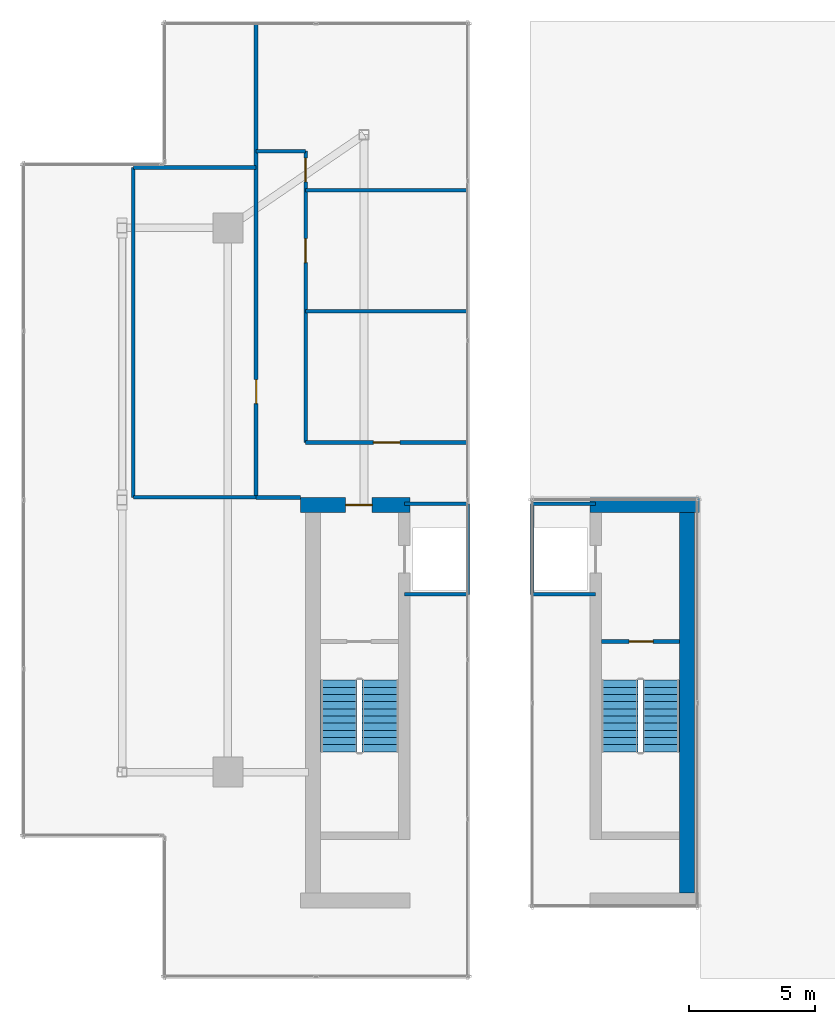
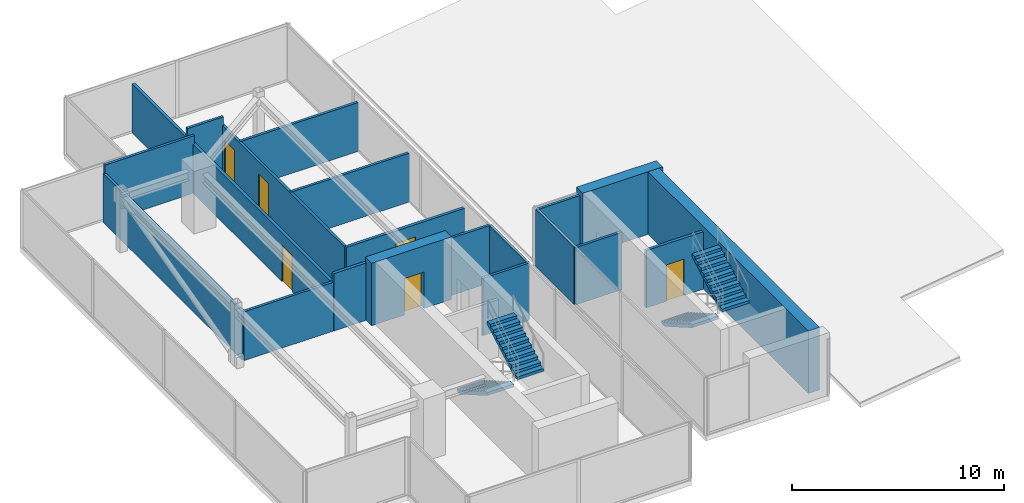
# One storey, part 15 of 16: 20 walls, 6 doors, 4 stair flights, 6 openings, 2 elements without a shape of their own.
"""IFC4 building model written with IfcOpenShell, lengths in metres."""

from ifc_helpers import new_model, si_unit, direction, frame, frame_2d, origin, place, context, subcontext, project, spatial, polyline, rectangle, outline, extrude, material, layer, layer_set, type_object, element, fill, aggregate, save


model = new_model("IFC4")

# Units and contexts
model_context = context("Model", 3, precision=1e-05, world=origin(), true_north=direction((0.0, 1.0)))
body_context = subcontext(model_context, "Body", "Model", "MODEL_VIEW")
ifc_project = project(units=[si_unit("LENGTHUNIT", "METRE"), si_unit("AREAUNIT", "SQUARE_METRE"), si_unit("VOLUMEUNIT", "CUBIC_METRE"), si_unit("PLANEANGLEUNIT", "RADIAN"), si_unit("MASSUNIT", "GRAM", prefix="KILO")], contexts=[model_context])

# Site, building, storey
site_placement = place(None, origin())
site = spatial("IfcSite", under=ifc_project, at=site_placement, CompositionType="ELEMENT")
building_placement = place(site_placement, origin())
building = spatial("IfcBuilding", under=site, at=building_placement, Name="Krantzveldt Concourse Tower", CompositionType="ELEMENT")
storey_placement = place(building_placement, frame((0.0, 0.0, 378.25)))
storey = spatial("IfcBuildingStorey", under=building, at=storey_placement, Name="L93", CompositionType="ELEMENT", Elevation=378.25)

# Walls
ifc_material_1 = material(Name="Fire-rated gypsum plasterboard on steel stud", Category="steel")
ifc_layer_1 = layer(ifc_material_1, 0.139892578125, Name="Fire-rated gypsum plasterboard on steel stud", Category="steel")
ifc_layer_set_1 = layer_set([ifc_layer_1], Name="Fire-rated gypsum plasterboard on steel stud (WL-PART-FR140)")
wall_type_1 = type_object("IfcWallType", Name="WL-PART-FR140", PredefinedType="PARTITIONING", material=ifc_layer_set_1)
wall_1_placement = place(storey_placement, frame((34.719970703125, 22.949951171875, 0.0), z_axis=(0.0, 0.0, 1.0), x_axis=(0.0, 1.0, 0.0)))
element("IfcWall", 1, at=wall_1_placement, inside=storey, type_object=wall_type_1, Name="WP-L93-FL1E", PredefinedType="PARTITIONING", context=body_context, shape_type="SweptSolid", body=[
    extrude(rectangle(XDim=3.60009765625, YDim=0.139892578125, at=frame_2d((1.800048828125, 0.0))), origin(), (0.0, 0.0, 1.0), 3.300048828125),
])
for number, where, z_axis, x_axis, name in (
    (2, (32.2099609375, 22.949951171875, 0.0), (0.0, 0.0, 1.0), (1.0, 0.0, 0.0), "WP-L93-FL1S"),
    (3, (32.2099609375, 26.550048828125, 0.0), (0.0, 0.0, 1.0), (1.0, 0.0, 0.0), "WP-L93-FL1N"),
):
    element("IfcWall", number, at=place(storey_placement, frame(where, z_axis=z_axis, x_axis=x_axis)), inside=storey, type_object=wall_type_1, Name=name, PredefinedType="PARTITIONING", context=body_context, shape_type="SweptSolid", body=[
        extrude(rectangle(XDim=2.510009765625, YDim=0.139892578125, at=frame_2d((1.2548828125, 0.0))), origin(), (0.0, 0.0, 1.0), 3.300048828125),
    ])
wall_2_placement = place(storey_placement, frame((37.280029296875, 22.949951171875, 0.0), z_axis=(0.0, 0.0, 1.0), x_axis=(0.0, 1.0, 0.0)))
element("IfcWall", 4, at=wall_2_placement, inside=storey, type_object=wall_type_1, Name="WP-L93-FL2W", PredefinedType="PARTITIONING", context=body_context, shape_type="SweptSolid", body=[
    extrude(rectangle(XDim=3.60009765625, YDim=0.139892578125, at=frame_2d((1.800048828125, 0.0))), origin(), (0.0, 0.0, 1.0), 3.300048828125),
])
for number, where, z_axis, x_axis, name in (
    (5, (37.280029296875, 22.949951171875, 0.0), (0.0, 0.0, 1.0), (1.0, 0.0, 0.0), "WP-L93-FL2S"),
    (6, (37.280029296875, 26.550048828125, 0.0), (0.0, 0.0, 1.0), (1.0, 0.0, 0.0), "WP-L93-FL2N"),
):
    element("IfcWall", number, at=place(storey_placement, frame(where, z_axis=z_axis, x_axis=x_axis)), inside=storey, type_object=wall_type_1, Name=name, PredefinedType="PARTITIONING", context=body_context, shape_type="SweptSolid", body=[
        extrude(rectangle(XDim=2.510009765625, YDim=0.139892578125, at=frame_2d((1.2548828125, 0.0))), origin(), (0.0, 0.0, 1.0), 3.300048828125),
    ])
wall_3_placement = place(storey_placement, frame((21.449951171875, 26.800048828125, 0.0), z_axis=(0.0, 0.0, 1.0), x_axis=(0.0, 1.0, 0.0)))
element("IfcWall", 7, at=wall_3_placement, inside=storey, type_object=wall_type_1, Name="WP-L93-CWW", PredefinedType="PARTITIONING", context=body_context, shape_type="SweptSolid", body=[
    extrude(rectangle(XDim=13.099853515625, YDim=0.139892578125, at=frame_2d((6.5498046875, 0.0))), origin(), (0.0, 0.0, 1.0), 2.81005859375),
])
wall_4_placement = place(storey_placement, frame((21.449951171875, 26.800048828125, 0.0), z_axis=(0.0, 0.0, 1.0), x_axis=(1.0, 0.0, 0.0)))
element("IfcWall", 8, at=wall_4_placement, inside=storey, type_object=wall_type_1, Name="WP-L93-CWS", PredefinedType="PARTITIONING", context=body_context, shape_type="SweptSolid", body=[
    extrude(rectangle(XDim=4.8701171875, YDim=0.139892578125, at=frame_2d((2.43505859375, 0.0))), origin(), (0.0, 0.0, 1.0), 2.81005859375),
])
wall_5_placement = place(storey_placement, frame((21.449951171875, 39.89990234375, 0.0), z_axis=(0.0, 0.0, 1.0), x_axis=(1.0, 0.0, 0.0)))
element("IfcWall", 9, at=wall_5_placement, inside=storey, type_object=wall_type_1, Name="WP-L93-CWTOP", PredefinedType="PARTITIONING", context=body_context, shape_type="SweptSolid", body=[
    extrude(rectangle(XDim=4.8701171875, YDim=0.139892578125, at=frame_2d((2.43505859375, 0.0))), origin(), (0.0, 0.0, 1.0), 3.300048828125),
])

# Wall, openings, doors
wall_6_placement = place(storey_placement, frame((28.280029296875, 28.97998046875, 0.0), z_axis=(0.0, 0.0, 1.0), x_axis=(0.0, 1.0, 0.0)))
wall_6 = element("IfcWall", 10, at=wall_6_placement, inside=storey, type_object=wall_type_1, Name="WP-L93-CNKR", PredefinedType="PARTITIONING", context=body_context, shape_type="SweptSolid", body=[
    extrude(rectangle(XDim=11.570068359375, YDim=0.139892578125, at=frame_2d((5.78515625, 0.0))), origin(), (0.0, 0.0, 1.0), 2.81005859375),
])
opening_1_placement = place(wall_6_placement, frame((7.14501953125, 0.0, 0.0)))
opening_1 = element("IfcOpeningElement", 11, at=opening_1_placement, cuts=wall_6, Name="Opening D-FD695", PredefinedType="OPENING", context=body_context, shape_type="SweptSolid", body=[
    extrude(rectangle(XDim=0.949951171875, YDim=2.10009765625, at=frame_2d((0.47509765625, 1.050048828125))), frame((0.0, 0.080078125, 0.0), z_axis=(0.0, -1.0, 0.0), x_axis=(1.0, 0.0, 0.0)), (0.0, 0.0, 1.0), 0.159912109375),
])
opening_2_placement = place(wall_6_placement, frame((10.344970703125, 0.0, 0.0)))
opening_2 = element("IfcOpeningElement", 12, at=opening_2_placement, cuts=wall_6, Name="Opening D-FD695", PredefinedType="OPENING", context=body_context, shape_type="SweptSolid", body=[
    extrude(rectangle(XDim=0.949951171875, YDim=2.10009765625, at=frame_2d((0.47509765625, 1.050048828125))), frame((0.0, 0.080078125, 0.0), z_axis=(0.0, -1.0, 0.0), x_axis=(1.0, 0.0, 0.0)), (0.0, 0.0, 1.0), 0.159912109375),
])
ifc_material_2 = material(Name="Hardwood timber", Category="wood")
door_type_1 = type_object("IfcDoorType", Name="DR-FD60-950", OperationType="SINGLE_SWING_LEFT", PredefinedType="DOOR", material=ifc_material_2)
door_1_placement = place(opening_1_placement, origin())
door_1 = element("IfcDoor", 13, at=door_1_placement, inside=storey, type_object=door_type_1, Name="DR-L93-PLT2", OperationType="SINGLE_SWING_RIGHT", OverallHeight=2.10009765625, OverallWidth=0.949951171875, PredefinedType="DOOR", context=body_context, shape_type="SweptSolid", body=[
    extrude(rectangle(XDim=0.949951171875, YDim=2.10009765625, at=frame_2d((0.47509765625, 1.050048828125))), frame((0.0, 0.02490234375, 0.0), z_axis=(0.0, -1.0, 0.0), x_axis=(1.0, 0.0, 0.0)), (0.0, 0.0, 1.0), 0.050048828125),
])
fill(opening_1, door_1)
door_2_placement = place(opening_2_placement, origin())
door_2 = element("IfcDoor", 14, at=door_2_placement, inside=storey, type_object=door_type_1, Name="DR-L93-PLT3", OperationType="SINGLE_SWING_LEFT", OverallHeight=2.10009765625, OverallWidth=0.949951171875, PredefinedType="DOOR", context=body_context, shape_type="SweptSolid", body=[
    extrude(rectangle(XDim=0.949951171875, YDim=2.10009765625, at=frame_2d((0.47509765625, 1.050048828125))), frame((0.0, 0.02490234375, 0.0), z_axis=(0.0, -1.0, 0.0), x_axis=(1.0, 0.0, 0.0)), (0.0, 0.0, 1.0), 0.050048828125),
])
fill(opening_2, door_2)

# Walls
for number, where, z_axis, x_axis, name in (
    (15, (28.280029296875, 34.199951171875, 0.0), (0.0, 0.0, 1.0), (1.0, 0.0, 0.0), "WP-L93-CDV1"),
    (16, (28.280029296875, 39.0, 0.0), (0.0, 0.0, 1.0), (1.0, 0.0, 0.0), "WP-L93-CDV2"),
):
    element("IfcWall", number, at=place(storey_placement, frame(where, z_axis=z_axis, x_axis=x_axis)), inside=storey, type_object=wall_type_1, Name=name, PredefinedType="PARTITIONING", context=body_context, shape_type="SweptSolid", body=[
        extrude(rectangle(XDim=6.429931640625, YDim=0.139892578125, at=frame_2d((3.21484375, 0.0))), origin(), (0.0, 0.0, 1.0), 2.81005859375),
    ])
wall_7_placement = place(storey_placement, frame((26.320068359375, 40.550048828125, 0.0), z_axis=(0.0, 0.0, 1.0), x_axis=(1.0, 0.0, 0.0)))
element("IfcWall", 17, at=wall_7_placement, inside=storey, type_object=wall_type_1, Name="WP-L93-CNKT", PredefinedType="PARTITIONING", context=body_context, shape_type="SweptSolid", body=[
    extrude(rectangle(XDim=1.9599609375, YDim=0.139892578125, at=frame_2d((0.97998046875, 0.0))), origin(), (0.0, 0.0, 1.0), 3.300048828125),
])

# Wall, opening, door
ifc_layer_2 = layer(ifc_material_1, 0.159912109375, Name="Fire-rated gypsum plasterboard on steel stud", Category="steel")
ifc_layer_set_2 = layer_set([ifc_layer_2], Name="Fire-rated gypsum plasterboard on steel stud (WL-PART-FR160)")
wall_type_2 = type_object("IfcWallType", Name="WL-PART-FR160", PredefinedType="PARTITIONING", material=ifc_layer_set_2)
wall_8_placement = place(storey_placement, frame((40.02001953125, 21.080078125, 0.0), z_axis=(0.0, 0.0, 1.0), x_axis=(1.0, 0.0, 0.0)))
wall_8 = element("IfcWall", 18, at=wall_8_placement, inside=storey, type_object=wall_type_2, Name="WP-L93-ST2", PredefinedType="PARTITIONING", context=body_context, shape_type="SweptSolid", body=[
    extrude(rectangle(XDim=3.10009765625, YDim=0.159912109375, at=frame_2d((1.550048828125, 0.0))), origin(), (0.0, 0.0, 1.0), 3.300048828125),
])
opening_3_placement = place(wall_8_placement, frame((1.10498046875, 0.0, 0.0)))
opening_3 = element("IfcOpeningElement", 19, at=opening_3_placement, cuts=wall_8, Name="Opening D-FD095", PredefinedType="OPENING", context=body_context, shape_type="SweptSolid", body=[
    extrude(rectangle(XDim=0.949951171875, YDim=2.10009765625, at=frame_2d((0.47509765625, 1.050048828125))), frame((0.0, 0.08984375, 0.0), z_axis=(0.0, -1.0, 0.0), x_axis=(1.0, 0.0, 0.0)), (0.0, 0.0, 1.0), 0.179931640625),
])
ifc_material_3 = material(Name="Galvanised steel", Category="steel")
door_type_2 = type_object("IfcDoorType", Name="DR-FD120-950", OperationType="SINGLE_SWING_LEFT", PredefinedType="DOOR", material=ifc_material_3)
door_3_placement = place(opening_3_placement, origin())
door_3 = element("IfcDoor", 20, at=door_3_placement, inside=storey, type_object=door_type_2, Name="DR-L93-ST2", OperationType="SINGLE_SWING_LEFT", OverallHeight=2.10009765625, OverallWidth=0.949951171875, PredefinedType="DOOR", context=body_context, shape_type="SweptSolid", body=[
    extrude(rectangle(XDim=0.949951171875, YDim=2.10009765625, at=frame_2d((0.47509765625, 1.050048828125))), frame((0.0, 0.02490234375, 0.0), z_axis=(0.0, -1.0, 0.0), x_axis=(1.0, 0.0, 0.0)), (0.0, 0.0, 1.0), 0.050048828125),
])
fill(opening_3, door_3)

wall_9_placement = place(storey_placement, frame((28.280029296875, 28.97998046875, 0.0), z_axis=(0.0, 0.0, 1.0), x_axis=(1.0, 0.0, 0.0)))
wall_9 = element("IfcWall", 21, at=wall_9_placement, inside=storey, type_object=wall_type_2, Name="WP-L93-CN1R", PredefinedType="PARTITIONING", context=body_context, shape_type="SweptSolid", body=[
    extrude(rectangle(XDim=6.429931640625, YDim=0.159912109375, at=frame_2d((3.21484375, 0.0))), origin(), (0.0, 0.0, 1.0), 2.81005859375),
])
opening_4_placement = place(wall_9_placement, frame((2.695068359375, 0.0, 0.0)))
opening_4 = element("IfcOpeningElement", 22, at=opening_4_placement, cuts=wall_9, Name="Opening D-FD105", PredefinedType="OPENING", context=body_context, shape_type="SweptSolid", body=[
    extrude(rectangle(XDim=1.050048828125, YDim=2.10009765625, at=frame_2d((0.52490234375, 1.050048828125))), frame((0.0, 0.08984375, 0.0), z_axis=(0.0, -1.0, 0.0), x_axis=(1.0, 0.0, 0.0)), (0.0, 0.0, 1.0), 0.179931640625),
])
door_type_3 = type_object("IfcDoorType", Name="DR-FD120-1050", OperationType="SINGLE_SWING_LEFT", PredefinedType="DOOR", material=ifc_material_3)
door_4_placement = place(opening_4_placement, origin())
door_4 = element("IfcDoor", 23, at=door_4_placement, inside=storey, type_object=door_type_3, Name="DR-L93-PLT1", OperationType="SINGLE_SWING_LEFT", OverallHeight=2.10009765625, OverallWidth=1.050048828125, PredefinedType="DOOR", context=body_context, shape_type="SweptSolid", body=[
    extrude(rectangle(XDim=1.050048828125, YDim=2.10009765625, at=frame_2d((0.52490234375, 1.050048828125))), frame((0.0, 0.02490234375, 0.0), z_axis=(0.0, -1.0, 0.0), x_axis=(1.0, 0.0, 0.0)), (0.0, 0.0, 1.0), 0.050048828125),
])
fill(opening_4, door_4)

# Wall
wall_10_placement = place(storey_placement, frame((26.320068359375, 26.800048828125, 0.0), z_axis=(0.0, 0.0, 1.0), x_axis=(1.0, 0.0, 0.0)))
element("IfcWall", 24, at=wall_10_placement, inside=storey, type_object=wall_type_2, Name="WP-L93-CS1", PredefinedType="PARTITIONING", context=body_context, shape_type="SweptSolid", body=[
    extrude(rectangle(XDim=1.760009765625, YDim=0.159912109375, at=frame_2d((0.8798828125, 0.0))), origin(), (0.0, 0.0, 1.0), 3.300048828125),
])

# Wall, opening, door
wall_11_placement = place(storey_placement, frame((26.320068359375, 26.800048828125, 0.0), z_axis=(0.0, 0.0, 1.0), x_axis=(0.0, 1.0, 0.0)))
wall_11 = element("IfcWall", 25, at=wall_11_placement, inside=storey, type_object=wall_type_2, Name="WP-L93-CWL", PredefinedType="PARTITIONING", context=body_context, shape_type="SweptSolid", body=[
    extrude(rectangle(XDim=18.81005859375, YDim=0.159912109375, at=frame_2d((9.405029296875, 0.0))), origin(), (0.0, 0.0, 1.0), 2.81005859375),
])
opening_5_placement = place(wall_11_placement, frame((3.72509765625, 0.0, 0.0)))
opening_5 = element("IfcOpeningElement", 26, at=opening_5_placement, cuts=wall_11, Name="Opening D-FD695", PredefinedType="OPENING", context=body_context, shape_type="SweptSolid", body=[
    extrude(rectangle(XDim=0.949951171875, YDim=2.10009765625, at=frame_2d((0.47509765625, 1.050048828125))), frame((0.0, 0.08984375, 0.0), z_axis=(0.0, -1.0, 0.0), x_axis=(1.0, 0.0, 0.0)), (0.0, 0.0, 1.0), 0.179931640625),
])
door_5_placement = place(opening_5_placement, origin())
door_5 = element("IfcDoor", 27, at=door_5_placement, inside=storey, type_object=door_type_1, Name="DR-L93-PLT4", OperationType="SINGLE_SWING_LEFT", OverallHeight=2.10009765625, OverallWidth=0.949951171875, PredefinedType="DOOR", context=body_context, shape_type="SweptSolid", body=[
    extrude(rectangle(XDim=0.949951171875, YDim=2.10009765625, at=frame_2d((0.47509765625, 1.050048828125))), frame((0.0, 0.02490234375, 0.0), z_axis=(0.0, -1.0, 0.0), x_axis=(1.0, 0.0, 0.0)), (0.0, 0.0, 1.0), 0.050048828125),
])
fill(opening_5, door_5)

ifc_material_4 = material(Name="Concrete C50/60", Category="concrete")
ifc_layer_3 = layer(ifc_material_4, 0.60009765625, Name="Concrete C50/60", Category="concrete")
ifc_layer_set_3 = layer_set([ifc_layer_3], Name="Concrete C50/60 (WL-SHEAR-600)")
wall_type_3 = type_object("IfcWallType", Name="WL-SHEAR-600", PredefinedType="SHEAR", material=ifc_layer_set_3)
wall_12_placement = place(storey_placement, frame((28.080078125, 26.5, 0.0), z_axis=(0.0, 0.0, 1.0), x_axis=(1.0, 0.0, 0.0)))
wall_12 = element("IfcWall", 28, at=wall_12_placement, inside=storey, type_object=wall_type_3, Name="CW-L93-WC-N", PredefinedType="SHEAR", context=body_context, shape_type="SweptSolid", body=[
    extrude(rectangle(XDim=4.349853515625, YDim=0.60009765625, at=frame_2d((2.1748046875, 0.0))), origin(), (0.0, 0.0, 1.0), 3.60009765625),
])
opening_6_placement = place(wall_12_placement, frame((1.794921875, 0.0, 0.0)))
opening_6 = element("IfcOpeningElement", 29, at=opening_6_placement, cuts=wall_12, Name="Opening D-FD105", PredefinedType="OPENING", context=body_context, shape_type="SweptSolid", body=[
    extrude(rectangle(XDim=1.050048828125, YDim=2.10009765625, at=frame_2d((0.52490234375, 1.050048828125))), frame((0.0, 0.31005859375, 0.0), z_axis=(0.0, -1.0, 0.0), x_axis=(1.0, 0.0, 0.0)), (0.0, 0.0, 1.0), 0.6201171875),
])
door_6_placement = place(opening_6_placement, origin())
door_6 = element("IfcDoor", 30, at=door_6_placement, inside=storey, type_object=door_type_3, Name="DR-L93-FFL1", OperationType="SINGLE_SWING_LEFT", OverallHeight=2.10009765625, OverallWidth=1.050048828125, PredefinedType="DOOR", context=body_context, shape_type="SweptSolid", body=[
    extrude(rectangle(XDim=1.050048828125, YDim=2.10009765625, at=frame_2d((0.52490234375, 1.050048828125))), frame((0.0, 0.02490234375, 0.0), z_axis=(0.0, -1.0, 0.0), x_axis=(1.0, 0.0, 0.0)), (0.0, 0.0, 1.0), 0.050048828125),
])
fill(opening_6, door_6)

# Walls
wall_13_placement = place(storey_placement, frame((39.570068359375, 26.5, 0.0), z_axis=(0.0, 0.0, 1.0), x_axis=(1.0, 0.0, 0.0)))
element("IfcWall", 31, at=wall_13_placement, inside=storey, type_object=wall_type_3, Name="CW-L93-EC-N", PredefinedType="SHEAR", context=body_context, shape_type="SweptSolid", body=[
    extrude(rectangle(XDim=4.349853515625, YDim=0.60009765625, at=frame_2d((2.1748046875, 0.0))), origin(), (0.0, 0.0, 1.0), 3.60009765625),
])
wall_14_placement = place(storey_placement, frame((43.419921875, 11.10009765625, 0.0), z_axis=(0.0, 0.0, 1.0), x_axis=(0.0, 1.0, 0.0)))
element("IfcWall", 32, at=wall_14_placement, inside=storey, type_object=wall_type_3, Name="CW-L93-EC-E", PredefinedType="SHEAR", context=body_context, shape_type="SweptSolid", body=[
    extrude(rectangle(XDim=15.099853515625, YDim=0.60009765625, at=frame_2d((7.5498046875, 0.0))), origin(), (0.0, 0.0, 1.0), 3.60009765625),
])

# Stair, stair flights
ifc_material_5 = material(Name="Precast concrete C40/50", Category="concrete")
stair_type = type_object("IfcStairType", Name="STR-CORE-DOGLEG", PredefinedType="HALF_TURN_STAIR", material=ifc_material_5)
stair_1_placement = place(storey_placement, origin())
stair_1 = element("IfcStair", 33, at=stair_1_placement, inside=storey, type_object=stair_type, Name="L93 Protected Escape Stair ST-1", PredefinedType="HALF_TURN_STAIR")
stair_flight_type = type_object("IfcStairFlightType", Name="STF-CORE-1450", PredefinedType="STRAIGHT", material=ifc_material_5)
stair_flight_1_placement = place(storey_placement, frame((29.60498046875, 19.550048828125, 0.0), z_axis=(0.0, 0.0, 1.0), x_axis=(0.0, -1.0, 0.0)))
stair_flight_1 = element("IfcStairFlight", 34, at=stair_flight_1_placement, type_object=stair_flight_type, Name="ST-1 flight 1", NumberOfRisers=11, NumberOfTreads=10, PredefinedType="STRAIGHT", RiserHeight=0.163636364, TreadLength=0.285, context=body_context, shape_type="SweptSolid", body=[
    extrude(outline(polyline([(0.0, 0.0), (0.0, 0.16357421875), (0.284912109375, 0.16357421875), (0.284912109375, 0.327392578125), (0.570068359375, 0.327392578125), (0.570068359375, 0.490966796875), (0.85498046875, 0.490966796875), (0.85498046875, 0.654541015625), (1.139892578125, 0.654541015625), (1.139892578125, 0.818115234375), (1.425048828125, 0.818115234375), (1.425048828125, 0.98193359375), (1.7099609375, 0.98193359375), (1.7099609375, 1.1455078125), (1.9951171875, 1.1455078125), (1.9951171875, 1.30908203125), (2.280029296875, 1.30908203125), (2.280029296875, 1.47265625), (2.56494140625, 1.47265625), (2.56494140625, 1.636474609375), (2.85009765625, 1.636474609375), (2.85009765625, 1.800048828125), (2.85009765625, 1.463623046875), (0.301025390625, 0.0), (0.0, 0.0)])), frame((0.0, 0.72509765625, 0.0), z_axis=(0.0, -1.0, 0.0), x_axis=(1.0, 0.0, 0.0)), (0.0, 0.0, 1.0), 1.449951171875),
])
stair_flight_2_placement = place(storey_placement, frame((31.2548828125, 16.699951171875, 1.800048828125), z_axis=(0.0, 0.0, 1.0), x_axis=(0.0, 1.0, 0.0)))
stair_flight_2 = element("IfcStairFlight", 35, at=stair_flight_2_placement, type_object=stair_flight_type, Name="ST-1 flight 2", NumberOfRisers=11, NumberOfTreads=10, PredefinedType="STRAIGHT", RiserHeight=0.163636364, TreadLength=0.285, context=body_context, shape_type="SweptSolid", body=[
    extrude(outline(polyline([(0.0, 0.0), (0.0, 0.16357421875), (0.284912109375, 0.16357421875), (0.284912109375, 0.327392578125), (0.570068359375, 0.327392578125), (0.570068359375, 0.490966796875), (0.85498046875, 0.490966796875), (0.85498046875, 0.654541015625), (1.139892578125, 0.654541015625), (1.139892578125, 0.818115234375), (1.425048828125, 0.818115234375), (1.425048828125, 0.98193359375), (1.7099609375, 0.98193359375), (1.7099609375, 1.1455078125), (1.9951171875, 1.1455078125), (1.9951171875, 1.30908203125), (2.280029296875, 1.30908203125), (2.280029296875, 1.47265625), (2.56494140625, 1.47265625), (2.56494140625, 1.636474609375), (2.85009765625, 1.636474609375), (2.85009765625, 1.800048828125), (2.85009765625, 1.463623046875), (0.301025390625, 0.0), (0.0, 0.0)])), frame((0.0, 0.72509765625, 0.0), z_axis=(0.0, -1.0, 0.0), x_axis=(1.0, 0.0, 0.0)), (0.0, 0.0, 1.0), 1.449951171875),
])
aggregate(stair_1, [stair_flight_1, stair_flight_2])

stair_2_placement = place(storey_placement, origin())
stair_2 = element("IfcStair", 36, at=stair_2_placement, inside=storey, type_object=stair_type, Name="L93 Protected Escape Stair ST-2", PredefinedType="HALF_TURN_STAIR")
stair_flight_3_placement = place(storey_placement, frame((40.7451171875, 19.550048828125, 0.0), z_axis=(0.0, 0.0, 1.0), x_axis=(0.0, -1.0, 0.0)))
stair_flight_3 = element("IfcStairFlight", 37, at=stair_flight_3_placement, type_object=stair_flight_type, Name="ST-2 flight 1", NumberOfRisers=11, NumberOfTreads=10, PredefinedType="STRAIGHT", RiserHeight=0.163636364, TreadLength=0.285, context=body_context, shape_type="SweptSolid", body=[
    extrude(outline(polyline([(0.0, 0.0), (0.0, 0.16357421875), (0.284912109375, 0.16357421875), (0.284912109375, 0.327392578125), (0.570068359375, 0.327392578125), (0.570068359375, 0.490966796875), (0.85498046875, 0.490966796875), (0.85498046875, 0.654541015625), (1.139892578125, 0.654541015625), (1.139892578125, 0.818115234375), (1.425048828125, 0.818115234375), (1.425048828125, 0.98193359375), (1.7099609375, 0.98193359375), (1.7099609375, 1.1455078125), (1.9951171875, 1.1455078125), (1.9951171875, 1.30908203125), (2.280029296875, 1.30908203125), (2.280029296875, 1.47265625), (2.56494140625, 1.47265625), (2.56494140625, 1.636474609375), (2.85009765625, 1.636474609375), (2.85009765625, 1.800048828125), (2.85009765625, 1.463623046875), (0.301025390625, 0.0), (0.0, 0.0)])), frame((0.0, 0.72509765625, 0.0), z_axis=(0.0, -1.0, 0.0), x_axis=(1.0, 0.0, 0.0)), (0.0, 0.0, 1.0), 1.449951171875),
])
stair_flight_4_placement = place(storey_placement, frame((42.39501953125, 16.699951171875, 1.800048828125), z_axis=(0.0, 0.0, 1.0), x_axis=(0.0, 1.0, 0.0)))
stair_flight_4 = element("IfcStairFlight", 38, at=stair_flight_4_placement, type_object=stair_flight_type, Name="ST-2 flight 2", NumberOfRisers=11, NumberOfTreads=10, PredefinedType="STRAIGHT", RiserHeight=0.163636364, TreadLength=0.285, context=body_context, shape_type="SweptSolid", body=[
    extrude(outline(polyline([(0.0, 0.0), (0.0, 0.16357421875), (0.284912109375, 0.16357421875), (0.284912109375, 0.327392578125), (0.570068359375, 0.327392578125), (0.570068359375, 0.490966796875), (0.85498046875, 0.490966796875), (0.85498046875, 0.654541015625), (1.139892578125, 0.654541015625), (1.139892578125, 0.818115234375), (1.425048828125, 0.818115234375), (1.425048828125, 0.98193359375), (1.7099609375, 0.98193359375), (1.7099609375, 1.1455078125), (1.9951171875, 1.1455078125), (1.9951171875, 1.30908203125), (2.280029296875, 1.30908203125), (2.280029296875, 1.47265625), (2.56494140625, 1.47265625), (2.56494140625, 1.636474609375), (2.85009765625, 1.636474609375), (2.85009765625, 1.800048828125), (2.85009765625, 1.463623046875), (0.301025390625, 0.0), (0.0, 0.0)])), frame((0.0, 0.72509765625, 0.0), z_axis=(0.0, -1.0, 0.0), x_axis=(1.0, 0.0, 0.0)), (0.0, 0.0, 1.0), 1.449951171875),
])
aggregate(stair_2, [stair_flight_3, stair_flight_4])

save(model, "model.ifc")
